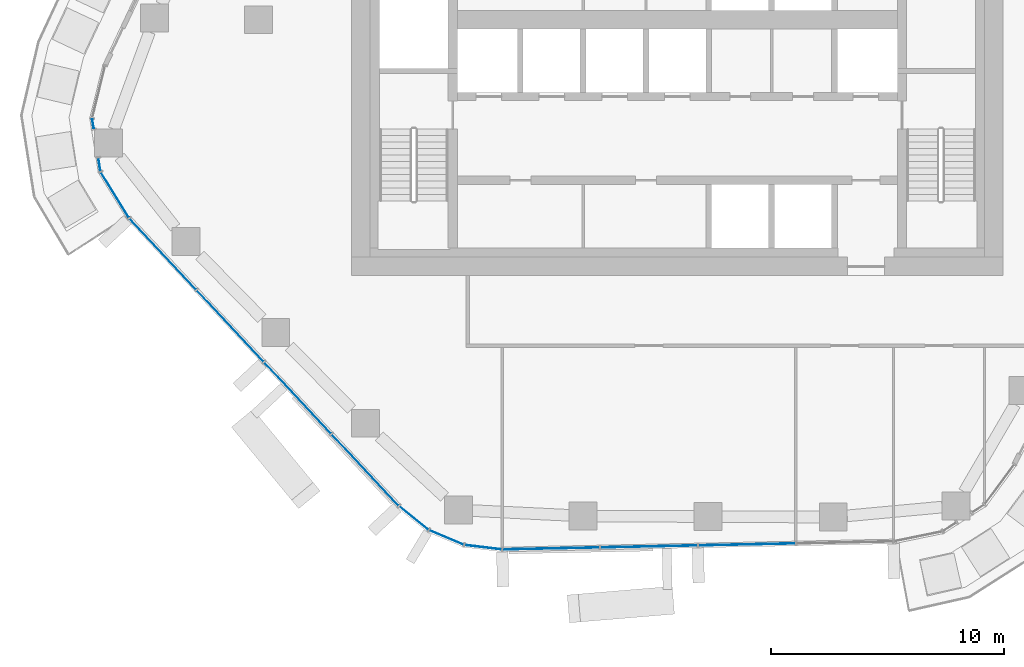
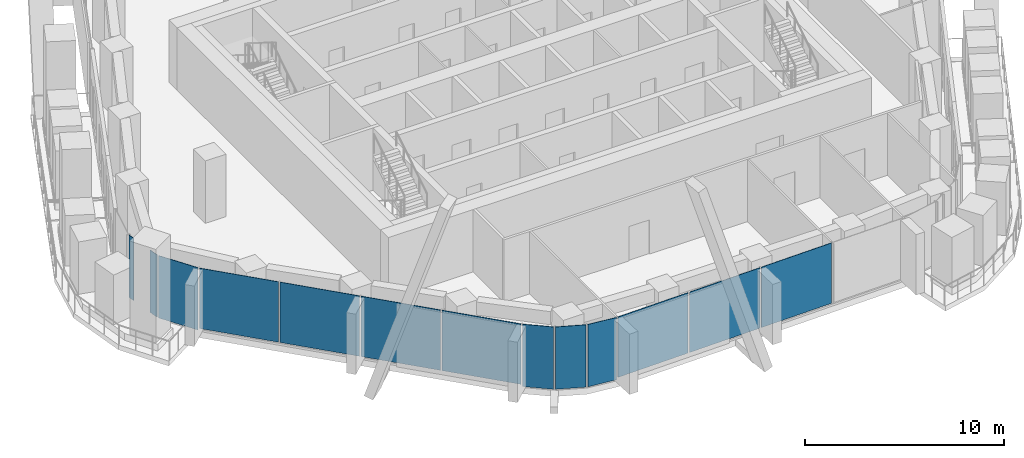
# One storey, part 7 of 18: 13 plates, 5 elements without a shape of their own.
"""IFC4 building model written with IfcOpenShell, lengths in metres."""

from ifc_helpers import new_model, si_unit, direction, frame, origin, origin_2d, place, context, subcontext, project, spatial, rectangle, extrude, material, layer, layer_set, type_object, element, aggregate, save


model = new_model("IFC4")

# Units and contexts
model_context = context("Model", 3, precision=1e-05, world=origin(), true_north=direction((0.0, 1.0)))
body_context = subcontext(model_context, "Body", "Model", "MODEL_VIEW")
ifc_project = project(units=[si_unit("LENGTHUNIT", "METRE"), si_unit("AREAUNIT", "SQUARE_METRE"), si_unit("VOLUMEUNIT", "CUBIC_METRE"), si_unit("PLANEANGLEUNIT", "RADIAN"), si_unit("MASSUNIT", "GRAM", prefix="KILO")], contexts=[model_context])

# Site, building, storey
site_placement = place(None, origin())
site = spatial("IfcSite", under=ifc_project, at=site_placement, CompositionType="ELEMENT")
building_placement = place(site_placement, origin())
building = spatial("IfcBuilding", under=site, at=building_placement, Name="Dongbaek Canopy Tower", CompositionType="ELEMENT")
storey_placement = place(building_placement, frame((0.0, 0.0, 167.0)))
storey = spatial("IfcBuildingStorey", under=building, at=storey_placement, Name="L36", CompositionType="ELEMENT", Elevation=167.0)

# Curtain wall, plate
ifc_material_1 = material(Name="Aluminium 6063-T6 pale anodised", Category="aluminium")
ifc_layer_1 = layer(ifc_material_1, 0.199951171875)
ifc_layer_set_1 = layer_set([ifc_layer_1], Name="CW-1 unitised tower curtain wall")
curtain_wall_type = type_object("IfcCurtainWallType", Name="CW-1 unitised tower curtain wall", PredefinedType="NOTDEFINED", material=ifc_layer_set_1)
curtain_wall_1_placement = place(storey_placement, origin())
curtain_wall_1 = element("IfcCurtainWall", 1, at=curtain_wall_1_placement, inside=storey, type_object=curtain_wall_type, Name="CW-1 curtain wall K3.1a", PredefinedType="NOTDEFINED")
ifc_material_2 = material(Name="Clear laminated glass", Category="glass")
ifc_layer_2 = layer(ifc_material_2, 0.028076171875)
ifc_layer_set_2 = layer_set([ifc_layer_2], Name="CW-1 glazed panel 28")
plate_type = type_object("IfcPlateType", Name="CW-1 glazed panel 28", PredefinedType="CURTAIN_PANEL", material=ifc_layer_set_2)
plate_1_placement = place(storey_placement, frame((-25.111083984375, -4.4677734375, 0.0), z_axis=(0.0, 0.0, 1.0), x_axis=(0.155710029436, -0.987802807616, 0.0)))
plate_1 = element("IfcPlate", 2, at=plate_1_placement, type_object=plate_type, Name="CW-1 panel K3.1a.2.1", PredefinedType="CURTAIN_PANEL", context=body_context, shape_type="SweptSolid", body=[
    extrude(rectangle(XDim=0.386474609375, YDim=0.028076171875, at=origin_2d()), origin(), (0.0, 0.0, 1.0), 3.820068359375),
])
aggregate(curtain_wall_1, [plate_1])

# Curtain wall, plates
curtain_wall_2_placement = place(storey_placement, origin())
curtain_wall_2 = element("IfcCurtainWall", 3, at=curtain_wall_2_placement, inside=storey, type_object=curtain_wall_type, Name="CW-1 curtain wall K3.1b", PredefinedType="NOTDEFINED")
plate_2_placement = place(storey_placement, frame((-24.833984375, -6.225830078125, 0.0), z_axis=(0.0, 0.0, 1.0), x_axis=(0.155710029436, -0.987802807616, 0.0)))
plate_2 = element("IfcPlate", 4, at=plate_2_placement, type_object=plate_type, Name="CW-1 panel K3.1b.1.1", PredefinedType="CURTAIN_PANEL", context=body_context, shape_type="SweptSolid", body=[
    extrude(rectangle(XDim=0.547119140625, YDim=0.028076171875, at=origin_2d()), origin(), (0.0, 0.0, 1.0), 3.820068359375),
])
plate_3_placement = place(storey_placement, frame((-24.1689453125, -7.532958984375, 0.0), z_axis=(0.0, 0.0, 1.0), x_axis=(0.526184480148, -0.850370444483, 0.0)))
plate_3 = element("IfcPlate", 5, at=plate_3_placement, type_object=plate_type, Name="CW-1 panel K3.1b.2.1", PredefinedType="CURTAIN_PANEL", context=body_context, shape_type="SweptSolid", body=[
    extrude(rectangle(XDim=2.2568359375, YDim=0.028076171875, at=origin_2d()), origin(), (0.0, 0.0, 1.0), 3.820068359375),
])
aggregate(curtain_wall_2, [plate_2, plate_3])

curtain_wall_3_placement = place(storey_placement, origin())
curtain_wall_3 = element("IfcCurtainWall", 6, at=curtain_wall_3_placement, inside=storey, type_object=curtain_wall_type, Name="CW-1 curtain wall F3.1", PredefinedType="NOTDEFINED")
plate_4_placement = place(storey_placement, frame((-22.1064453125, -10.07177734375, 0.1201171875), z_axis=(0.0, 0.0, 1.0), x_axis=(0.683822010811, -0.729648859062, 0.0)))
plate_4 = element("IfcPlate", 7, at=plate_4_placement, type_object=plate_type, Name="CW-1 panel F3.1.1.1", PredefinedType="CURTAIN_PANEL", context=body_context, shape_type="SweptSolid", body=[
    extrude(rectangle(XDim=4.147216796875, YDim=0.028076171875, at=origin_2d()), origin(), (0.0, 0.0, 1.0), 3.699951171875),
])
plate_5_placement = place(storey_placement, frame((-19.209716796875, -13.162841796875, 0.1201171875), z_axis=(0.0, 0.0, 1.0), x_axis=(0.683822010811, -0.729648859062, 0.0)))
plate_5 = element("IfcPlate", 8, at=plate_5_placement, type_object=plate_type, Name="CW-1 panel F3.1.2.1", PredefinedType="CURTAIN_PANEL", context=body_context, shape_type="SweptSolid", body=[
    extrude(rectangle(XDim=4.1572265625, YDim=0.028076171875, at=origin_2d()), origin(), (0.0, 0.0, 1.0), 3.699951171875),
])
plate_6_placement = place(storey_placement, frame((-16.309326171875, -16.25732421875, 0.1201171875), z_axis=(0.0, 0.0, 1.0), x_axis=(0.683822010811, -0.729648859062, 0.0)))
plate_6 = element("IfcPlate", 9, at=plate_6_placement, type_object=plate_type, Name="CW-1 panel F3.1.3.1", PredefinedType="CURTAIN_PANEL", context=body_context, shape_type="SweptSolid", body=[
    extrude(rectangle(XDim=4.1572265625, YDim=0.028076171875, at=origin_2d()), origin(), (0.0, 0.0, 1.0), 3.699951171875),
])
plate_7_placement = place(storey_placement, frame((-13.41162109375, -19.349365234375, 0.1201171875), z_axis=(0.0, 0.0, 1.0), x_axis=(0.683822010811, -0.729648859062, 0.0)))
plate_7 = element("IfcPlate", 10, at=plate_7_placement, type_object=plate_type, Name="CW-1 panel F3.1.4.1", PredefinedType="CURTAIN_PANEL", context=body_context, shape_type="SweptSolid", body=[
    extrude(rectangle(XDim=4.150146484375, YDim=0.028076171875, at=origin_2d()), origin(), (0.0, 0.0, 1.0), 3.699951171875),
])
aggregate(curtain_wall_3, [plate_4, plate_5, plate_6, plate_7])

curtain_wall_4_placement = place(storey_placement, origin())
curtain_wall_4 = element("IfcCurtainWall", 11, at=curtain_wall_4_placement, inside=storey, type_object=curtain_wall_type, Name="CW-1 curtain wall K4.1", PredefinedType="NOTDEFINED")
plate_8_placement = place(storey_placement, frame((-11.3212890625, -21.41162109375, 0.0), z_axis=(0.0, 0.0, 1.0), x_axis=(0.778773820364, -0.627304819618, 0.0)))
plate_8 = element("IfcPlate", 12, at=plate_8_placement, type_object=plate_type, Name="CW-1 panel K4.1.1.1", PredefinedType="CURTAIN_PANEL", context=body_context, shape_type="SweptSolid", body=[
    extrude(rectangle(XDim=1.566162109375, YDim=0.028076171875, at=origin_2d()), origin(), (0.0, 0.0, 1.0), 3.820068359375),
])
plate_9_placement = place(storey_placement, frame((-9.921630859375, -22.248291015625, 0.0), z_axis=(0.0, 0.0, 1.0), x_axis=(0.921587391877, -0.388170940609, 0.0)))
plate_9 = element("IfcPlate", 13, at=plate_9_placement, type_object=plate_type, Name="CW-1 panel K4.1.2.1", PredefinedType="CURTAIN_PANEL", context=body_context, shape_type="SweptSolid", body=[
    extrude(rectangle(XDim=1.55908203125, YDim=0.028076171875, at=origin_2d()), origin(), (0.0, 0.0, 1.0), 3.820068359375),
])
plate_10_placement = place(storey_placement, frame((-8.34521484375, -22.665283203125, 0.0), z_axis=(0.0, 0.0, 1.0), x_axis=(0.992903542336, -0.11892247734, 0.0)))
plate_10 = element("IfcPlate", 14, at=plate_10_placement, type_object=plate_type, Name="CW-1 panel K4.1.3.1", PredefinedType="CURTAIN_PANEL", context=body_context, shape_type="SweptSolid", body=[
    extrude(rectangle(XDim=1.566162109375, YDim=0.028076171875, at=origin_2d()), origin(), (0.0, 0.0, 1.0), 3.820068359375),
])
aggregate(curtain_wall_4, [plate_8, plate_9, plate_10])

curtain_wall_5_placement = place(storey_placement, origin())
curtain_wall_5 = element("IfcCurtainWall", 15, at=curtain_wall_5_placement, inside=storey, type_object=curtain_wall_type, Name="CW-1 curtain wall F4.1", PredefinedType="NOTDEFINED")
plate_11_placement = place(storey_placement, frame((-5.42626953125, -22.72021484375, 0.1201171875), z_axis=(0.0, 0.0, 1.0), x_axis=(0.999789551029, 0.020514717954, 0.0)))
plate_11 = element("IfcPlate", 16, at=plate_11_placement, type_object=plate_type, Name="CW-1 panel F4.1.1.1", PredefinedType="CURTAIN_PANEL", context=body_context, shape_type="SweptSolid", body=[
    extrude(rectangle(XDim=4.116455078125, YDim=0.028076171875, at=origin_2d()), origin(), (0.0, 0.0, 1.0), 3.699951171875),
])
plate_12_placement = place(storey_placement, frame((-1.22314453125, -22.634033203125, 0.1201171875), z_axis=(0.0, 0.0, 1.0), x_axis=(0.999789551029, 0.020514717954, 0.0)))
plate_12 = element("IfcPlate", 17, at=plate_12_placement, type_object=plate_type, Name="CW-1 panel F4.1.2.1", PredefinedType="CURTAIN_PANEL", context=body_context, shape_type="SweptSolid", body=[
    extrude(rectangle(XDim=4.12353515625, YDim=0.028076171875, at=origin_2d()), origin(), (0.0, 0.0, 1.0), 3.699951171875),
])
plate_13_placement = place(storey_placement, frame((2.9833984375, -22.547607421875, 0.1201171875), z_axis=(0.0, 0.0, 1.0), x_axis=(0.999789551029, 0.020514717954, 0.0)))
plate_13 = element("IfcPlate", 18, at=plate_13_placement, type_object=plate_type, Name="CW-1 panel F4.1.3.1", PredefinedType="CURTAIN_PANEL", context=body_context, shape_type="SweptSolid", body=[
    extrude(rectangle(XDim=4.12353515625, YDim=0.028076171875, at=origin_2d()), origin(), (0.0, 0.0, 1.0), 3.699951171875),
])
aggregate(curtain_wall_5, [plate_11, plate_12, plate_13])

save(model, "model.ifc")
